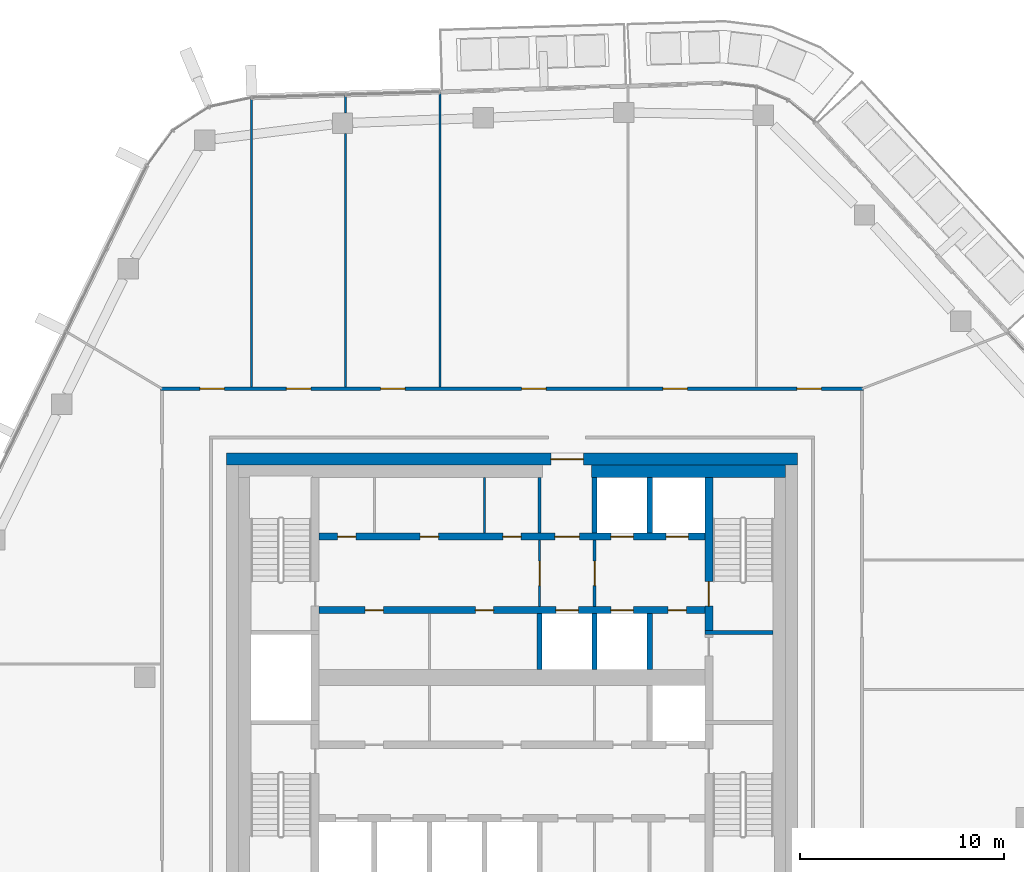
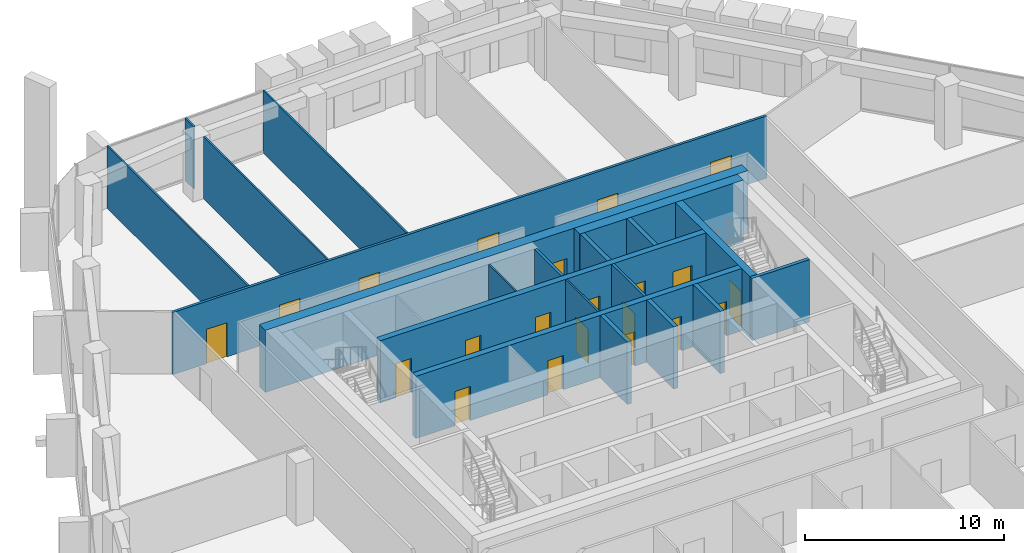
# One storey, part 15 of 24: 21 doors, 20 walls, 21 openings.
"""IFC4 building model written with IfcOpenShell, lengths in metres."""

from ifc_helpers import new_model, si_unit, direction, frame, frame_2d, origin, place, context, subcontext, project, spatial, rectangle, extrude, material, layer, layer_set, type_object, element, fill, save


model = new_model("IFC4")

# Units and contexts
model_context = context("Model", 3, precision=1e-05, world=origin(), true_north=direction((0.0, 1.0)))
body_context = subcontext(model_context, "Body", "Model", "MODEL_VIEW")
ifc_project = project(units=[si_unit("LENGTHUNIT", "METRE"), si_unit("AREAUNIT", "SQUARE_METRE"), si_unit("VOLUMEUNIT", "CUBIC_METRE"), si_unit("PLANEANGLEUNIT", "RADIAN"), si_unit("MASSUNIT", "GRAM", prefix="KILO")], contexts=[model_context])

# Site, building, storey
site_placement = place(None, origin())
site = spatial("IfcSite", under=ifc_project, at=site_placement, CompositionType="ELEMENT")
building_placement = place(site_placement, origin())
building = spatial("IfcBuilding", under=site, at=building_placement, Name="Dongbaek Canopy Tower", CompositionType="ELEMENT")
storey_placement = place(building_placement, frame((0.0, 0.0, 344.60009765625)))
storey = spatial("IfcBuildingStorey", under=building, at=storey_placement, Name="L74", CompositionType="ELEMENT", Elevation=344.60009765625)

# Wall, openings, doors
ifc_material_1 = material(Name="Concrete C60/75", Category="concrete")
ifc_layer_1 = layer(ifc_material_1, 0.35009765625)
ifc_layer_set_1 = layer_set([ifc_layer_1], Name="Core lobby wall 350 Concrete C60/75")
wall_type_1 = type_object("IfcWallType", Name="Core lobby wall 350 Concrete C60/75", PredefinedType="SHEAR", material=ifc_layer_set_1)
wall_1_placement = place(storey_placement, frame((-9.449951171875, 6.89990234375, 0.0), z_axis=(0.0, 0.0, 1.0), x_axis=(1.0, 0.0, 0.0)))
wall_1 = element("IfcWall", 1, at=wall_1_placement, inside=storey, type_object=wall_type_1, Name="Core wall", PredefinedType="SHEAR", context=body_context, shape_type="SweptSolid", body=[
    extrude(rectangle(XDim=18.89990234375, YDim=0.35009765625, at=frame_2d((9.449951171875, 0.0))), origin(), (0.0, 0.0, 1.0), 3.81982421875),
])
opening_1_placement = place(wall_1_placement, frame((11.550048828125, 0.0, 0.0)))
opening_1 = element("IfcOpeningElement", 2, at=opening_1_placement, cuts=wall_1, Name="Opening L74-D021", PredefinedType="OPENING", context=body_context, shape_type="SweptSolid", body=[
    extrude(rectangle(XDim=1.199951171875, YDim=2.10009765625, at=frame_2d((0.60009765625, 1.050048828125))), frame((0.0, 0.18505859375, 0.0), z_axis=(0.0, -1.0, 0.0), x_axis=(1.0, 0.0, 0.0)), (0.0, 0.0, 1.0), 0.3701171875),
])
opening_2_placement = place(wall_1_placement, frame((14.300048828125, 0.0, 0.0)))
opening_2 = element("IfcOpeningElement", 3, at=opening_2_placement, cuts=wall_1, Name="Opening L74-D022", PredefinedType="OPENING", context=body_context, shape_type="SweptSolid", body=[
    extrude(rectangle(XDim=1.10009765625, YDim=2.10009765625, at=frame_2d((0.550048828125, 1.050048828125))), frame((0.0, 0.18505859375, 0.0), z_axis=(0.0, -1.0, 0.0), x_axis=(1.0, 0.0, 0.0)), (0.0, 0.0, 1.0), 0.3701171875),
])
opening_3_placement = place(wall_1_placement, frame((17.0, 0.0, 0.0)))
opening_3 = element("IfcOpeningElement", 4, at=opening_3_placement, cuts=wall_1, Name="Opening L74-D023", PredefinedType="OPENING", context=body_context, shape_type="SweptSolid", body=[
    extrude(rectangle(XDim=1.10009765625, YDim=2.10009765625, at=frame_2d((0.550048828125, 1.050048828125))), frame((0.0, 0.18505859375, 0.0), z_axis=(0.0, -1.0, 0.0), x_axis=(1.0, 0.0, 0.0)), (0.0, 0.0, 1.0), 0.3701171875),
])
opening_4_placement = place(wall_1_placement, frame((0.89990234375, 0.0, 0.0)))
opening_4 = element("IfcOpeningElement", 5, at=opening_4_placement, cuts=wall_1, Name="Opening L74-D034", PredefinedType="OPENING", context=body_context, shape_type="SweptSolid", body=[
    extrude(rectangle(XDim=0.89990234375, YDim=2.10009765625, at=frame_2d((0.449951171875, 1.050048828125))), frame((0.0, 0.18505859375, 0.0), z_axis=(0.0, -1.0, 0.0), x_axis=(1.0, 0.0, 0.0)), (0.0, 0.0, 1.0), 0.3701171875),
])
opening_5_placement = place(wall_1_placement, frame((4.949951171875, 0.0, 0.0)))
opening_5 = element("IfcOpeningElement", 6, at=opening_5_placement, cuts=wall_1, Name="Opening L74-D035", PredefinedType="OPENING", context=body_context, shape_type="SweptSolid", body=[
    extrude(rectangle(XDim=0.89990234375, YDim=2.10009765625, at=frame_2d((0.449951171875, 1.050048828125))), frame((0.0, 0.18505859375, 0.0), z_axis=(0.0, -1.0, 0.0), x_axis=(1.0, 0.0, 0.0)), (0.0, 0.0, 1.0), 0.3701171875),
])
opening_6_placement = place(wall_1_placement, frame((9.0, 0.0, 0.0)))
opening_6 = element("IfcOpeningElement", 7, at=opening_6_placement, cuts=wall_1, Name="Opening L74-D036", PredefinedType="OPENING", context=body_context, shape_type="SweptSolid", body=[
    extrude(rectangle(XDim=0.89990234375, YDim=2.10009765625, at=frame_2d((0.449951171875, 1.050048828125))), frame((0.0, 0.18505859375, 0.0), z_axis=(0.0, -1.0, 0.0), x_axis=(1.0, 0.0, 0.0)), (0.0, 0.0, 1.0), 0.3701171875),
])
ifc_material_2 = material(Name="Steel", Category="steel")
door_type_1 = type_object("IfcDoorType", Name="Core room door 900 x 2100", OperationType="SINGLE_SWING_LEFT", PredefinedType="DOOR", material=ifc_material_2)
door_1_placement = place(opening_4_placement, origin())
door_1 = element("IfcDoor", 8, at=door_1_placement, inside=storey, type_object=door_type_1, Name="Door L74-D034", OperationType="SINGLE_SWING_RIGHT", OverallHeight=2.10009765625, OverallWidth=0.89990234375, PredefinedType="DOOR", context=body_context, shape_type="SweptSolid", body=[
    extrude(rectangle(XDim=0.89990234375, YDim=2.10009765625, at=frame_2d((0.449951171875, 1.050048828125))), frame((0.0, 0.02490234375, 0.0), z_axis=(0.0, -1.0, 0.0), x_axis=(1.0, 0.0, 0.0)), (0.0, 0.0, 1.0), 0.050048828125),
])
fill(opening_4, door_1)
door_2_placement = place(opening_5_placement, origin())
door_2 = element("IfcDoor", 9, at=door_2_placement, inside=storey, type_object=door_type_1, Name="Door L74-D035", OperationType="SINGLE_SWING_LEFT", OverallHeight=2.10009765625, OverallWidth=0.89990234375, PredefinedType="DOOR", context=body_context, shape_type="SweptSolid", body=[
    extrude(rectangle(XDim=0.89990234375, YDim=2.10009765625, at=frame_2d((0.449951171875, 1.050048828125))), frame((0.0, 0.02490234375, 0.0), z_axis=(0.0, -1.0, 0.0), x_axis=(1.0, 0.0, 0.0)), (0.0, 0.0, 1.0), 0.050048828125),
])
fill(opening_5, door_2)
door_3_placement = place(opening_6_placement, origin())
door_3 = element("IfcDoor", 10, at=door_3_placement, inside=storey, type_object=door_type_1, Name="Door L74-D036", OperationType="SINGLE_SWING_RIGHT", OverallHeight=2.10009765625, OverallWidth=0.89990234375, PredefinedType="DOOR", context=body_context, shape_type="SweptSolid", body=[
    extrude(rectangle(XDim=0.89990234375, YDim=2.10009765625, at=frame_2d((0.449951171875, 1.050048828125))), frame((0.0, 0.02490234375, 0.0), z_axis=(0.0, -1.0, 0.0), x_axis=(1.0, 0.0, 0.0)), (0.0, 0.0, 1.0), 0.050048828125),
])
fill(opening_6, door_3)
ifc_material_3 = material(Name="Steel", Category="steel")
door_type_2 = type_object("IfcDoorType", Name="Fire lobby door 1200 x 2100", OperationType="SINGLE_SWING_LEFT", PredefinedType="DOOR", material=ifc_material_3)
door_4_placement = place(opening_1_placement, origin())
door_4 = element("IfcDoor", 11, at=door_4_placement, inside=storey, type_object=door_type_2, Name="Door L74-D021", OperationType="SINGLE_SWING_LEFT", OverallHeight=2.10009765625, OverallWidth=1.199951171875, PredefinedType="DOOR", context=body_context, shape_type="SweptSolid", body=[
    extrude(rectangle(XDim=1.199951171875, YDim=2.10009765625, at=frame_2d((0.60009765625, 1.050048828125))), frame((0.0, 0.02490234375, 0.0), z_axis=(0.0, -1.0, 0.0), x_axis=(1.0, 0.0, 0.0)), (0.0, 0.0, 1.0), 0.050048828125),
])
fill(opening_1, door_4)
ifc_material_4 = material(Name="Stainless steel", Category="steel")
door_type_3 = type_object("IfcDoorType", Name="Lift landing door 1100 x 2100", OperationType="DOUBLE_DOOR_SLIDING", PredefinedType="DOOR", material=ifc_material_4)
door_5_placement = place(opening_2_placement, origin())
door_5 = element("IfcDoor", 12, at=door_5_placement, inside=storey, type_object=door_type_3, Name="Landing door FF1", OperationType="DOUBLE_DOOR_SLIDING", OverallHeight=2.10009765625, OverallWidth=1.10009765625, PredefinedType="DOOR", context=body_context, shape_type="SweptSolid", body=[
    extrude(rectangle(XDim=1.10009765625, YDim=2.10009765625, at=frame_2d((0.550048828125, 1.050048828125))), frame((0.0, 0.02490234375, 0.0), z_axis=(0.0, -1.0, 0.0), x_axis=(1.0, 0.0, 0.0)), (0.0, 0.0, 1.0), 0.050048828125),
])
fill(opening_2, door_5)
door_6_placement = place(opening_3_placement, origin())
door_6 = element("IfcDoor", 13, at=door_6_placement, inside=storey, type_object=door_type_3, Name="Landing door FF2", OperationType="DOUBLE_DOOR_SLIDING", OverallHeight=2.10009765625, OverallWidth=1.10009765625, PredefinedType="DOOR", context=body_context, shape_type="SweptSolid", body=[
    extrude(rectangle(XDim=1.10009765625, YDim=2.10009765625, at=frame_2d((0.550048828125, 1.050048828125))), frame((0.0, 0.02490234375, 0.0), z_axis=(0.0, -1.0, 0.0), x_axis=(1.0, 0.0, 0.0)), (0.0, 0.0, 1.0), 0.050048828125),
])
fill(opening_3, door_6)

wall_2_placement = place(storey_placement, frame((9.449951171875, 3.300048828125, 0.0), z_axis=(0.0, 0.0, 1.0), x_axis=(-1.0, 0.0, 0.0)))
wall_2 = element("IfcWall", 14, at=wall_2_placement, inside=storey, type_object=wall_type_1, Name="Core wall", PredefinedType="SHEAR", context=body_context, shape_type="SweptSolid", body=[
    extrude(rectangle(XDim=18.89990234375, YDim=0.35009765625, at=frame_2d((9.449951171875, 0.0))), origin(), (0.0, 0.0, 1.0), 3.81982421875),
])
opening_7_placement = place(wall_2_placement, frame((6.199951171875, 0.0, 0.0)))
opening_7 = element("IfcOpeningElement", 15, at=opening_7_placement, cuts=wall_2, Name="Opening L74-D024", PredefinedType="OPENING", context=body_context, shape_type="SweptSolid", body=[
    extrude(rectangle(XDim=1.10009765625, YDim=2.10009765625, at=frame_2d((0.550048828125, 1.050048828125))), frame((0.0, 0.18505859375, 0.0), z_axis=(0.0, -1.0, 0.0), x_axis=(1.0, 0.0, 0.0)), (0.0, 0.0, 1.0), 0.3701171875),
])
opening_8_placement = place(wall_2_placement, frame((3.5, 0.0, 0.0)))
opening_8 = element("IfcOpeningElement", 16, at=opening_8_placement, cuts=wall_2, Name="Opening L74-D025", PredefinedType="OPENING", context=body_context, shape_type="SweptSolid", body=[
    extrude(rectangle(XDim=1.10009765625, YDim=2.10009765625, at=frame_2d((0.550048828125, 1.050048828125))), frame((0.0, 0.18505859375, 0.0), z_axis=(0.0, -1.0, 0.0), x_axis=(1.0, 0.0, 0.0)), (0.0, 0.0, 1.0), 0.3701171875),
])
opening_9_placement = place(wall_2_placement, frame((0.89990234375, 0.0, 0.0)))
opening_9 = element("IfcOpeningElement", 17, at=opening_9_placement, cuts=wall_2, Name="Opening L74-D026", PredefinedType="OPENING", context=body_context, shape_type="SweptSolid", body=[
    extrude(rectangle(XDim=0.89990234375, YDim=2.10009765625, at=frame_2d((0.449951171875, 1.050048828125))), frame((0.0, 0.18505859375, 0.0), z_axis=(0.0, -1.0, 0.0), x_axis=(1.0, 0.0, 0.0)), (0.0, 0.0, 1.0), 0.3701171875),
])
opening_10_placement = place(wall_2_placement, frame((15.75, 0.0, 0.0)))
opening_10 = element("IfcOpeningElement", 18, at=opening_10_placement, cuts=wall_2, Name="Opening L74-D037", PredefinedType="OPENING", context=body_context, shape_type="SweptSolid", body=[
    extrude(rectangle(XDim=0.89990234375, YDim=2.10009765625, at=frame_2d((0.449951171875, 1.050048828125))), frame((0.0, 0.18505859375, 0.0), z_axis=(0.0, -1.0, 0.0), x_axis=(1.0, 0.0, 0.0)), (0.0, 0.0, 1.0), 0.3701171875),
])
opening_11_placement = place(wall_2_placement, frame((10.35009765625, 0.0, 0.0)))
opening_11 = element("IfcOpeningElement", 19, at=opening_11_placement, cuts=wall_2, Name="Opening L74-D038", PredefinedType="OPENING", context=body_context, shape_type="SweptSolid", body=[
    extrude(rectangle(XDim=0.89990234375, YDim=2.10009765625, at=frame_2d((0.449951171875, 1.050048828125))), frame((0.0, 0.18505859375, 0.0), z_axis=(0.0, -1.0, 0.0), x_axis=(1.0, 0.0, 0.0)), (0.0, 0.0, 1.0), 0.3701171875),
])
door_7_placement = place(opening_9_placement, origin())
door_7 = element("IfcDoor", 20, at=door_7_placement, inside=storey, type_object=door_type_1, Name="Door L74-D026", OperationType="SINGLE_SWING_LEFT", OverallHeight=2.10009765625, OverallWidth=0.89990234375, PredefinedType="DOOR", context=body_context, shape_type="SweptSolid", body=[
    extrude(rectangle(XDim=0.89990234375, YDim=2.10009765625, at=frame_2d((0.449951171875, 1.050048828125))), frame((0.0, 0.02490234375, 0.0), z_axis=(0.0, -1.0, 0.0), x_axis=(1.0, 0.0, 0.0)), (0.0, 0.0, 1.0), 0.050048828125),
])
fill(opening_9, door_7)
door_8_placement = place(opening_10_placement, origin())
door_8 = element("IfcDoor", 21, at=door_8_placement, inside=storey, type_object=door_type_1, Name="Door L74-D037", OperationType="SINGLE_SWING_LEFT", OverallHeight=2.10009765625, OverallWidth=0.89990234375, PredefinedType="DOOR", context=body_context, shape_type="SweptSolid", body=[
    extrude(rectangle(XDim=0.89990234375, YDim=2.10009765625, at=frame_2d((0.449951171875, 1.050048828125))), frame((0.0, 0.02490234375, 0.0), z_axis=(0.0, -1.0, 0.0), x_axis=(1.0, 0.0, 0.0)), (0.0, 0.0, 1.0), 0.050048828125),
])
fill(opening_10, door_8)
door_9_placement = place(opening_11_placement, origin())
door_9 = element("IfcDoor", 22, at=door_9_placement, inside=storey, type_object=door_type_1, Name="Door L74-D038", OperationType="SINGLE_SWING_RIGHT", OverallHeight=2.10009765625, OverallWidth=0.89990234375, PredefinedType="DOOR", context=body_context, shape_type="SweptSolid", body=[
    extrude(rectangle(XDim=0.89990234375, YDim=2.10009765625, at=frame_2d((0.449951171875, 1.050048828125))), frame((0.0, 0.02490234375, 0.0), z_axis=(0.0, -1.0, 0.0), x_axis=(1.0, 0.0, 0.0)), (0.0, 0.0, 1.0), 0.050048828125),
])
fill(opening_11, door_9)
door_10_placement = place(opening_7_placement, origin())
door_10 = element("IfcDoor", 23, at=door_10_placement, inside=storey, type_object=door_type_3, Name="Landing door SV1", OperationType="DOUBLE_DOOR_SLIDING", OverallHeight=2.10009765625, OverallWidth=1.10009765625, PredefinedType="DOOR", context=body_context, shape_type="SweptSolid", body=[
    extrude(rectangle(XDim=1.10009765625, YDim=2.10009765625, at=frame_2d((0.550048828125, 1.050048828125))), frame((0.0, 0.02490234375, 0.0), z_axis=(0.0, -1.0, 0.0), x_axis=(1.0, 0.0, 0.0)), (0.0, 0.0, 1.0), 0.050048828125),
])
fill(opening_7, door_10)
door_11_placement = place(opening_8_placement, origin())
door_11 = element("IfcDoor", 24, at=door_11_placement, inside=storey, type_object=door_type_3, Name="Landing door FF3", OperationType="DOUBLE_DOOR_SLIDING", OverallHeight=2.10009765625, OverallWidth=1.10009765625, PredefinedType="DOOR", context=body_context, shape_type="SweptSolid", body=[
    extrude(rectangle(XDim=1.10009765625, YDim=2.10009765625, at=frame_2d((0.550048828125, 1.050048828125))), frame((0.0, 0.02490234375, 0.0), z_axis=(0.0, -1.0, 0.0), x_axis=(1.0, 0.0, 0.0)), (0.0, 0.0, 1.0), 0.050048828125),
])
fill(opening_8, door_11)

# Wall, opening, door
ifc_material_5 = material(Name="Concrete C80/95", Category="concrete")
ifc_layer_2 = layer(ifc_material_5, 0.60009765625)
ifc_layer_set_2 = layer_set([ifc_layer_2], Name="Core outer wall 600 Concrete C80/95")
wall_type_2 = type_object("IfcWallType", Name="Core outer wall 600 Concrete C80/95", PredefinedType="SHEAR", material=ifc_layer_set_2)
wall_3_placement = place(storey_placement, frame((-14.0, 10.699951171875, 0.0), z_axis=(0.0, 0.0, 1.0), x_axis=(1.0, 0.0, 0.0)))
wall_3 = element("IfcWall", 25, at=wall_3_placement, inside=storey, type_object=wall_type_2, Name="Core wall", PredefinedType="SHEAR", context=body_context, shape_type="SweptSolid", body=[
    extrude(rectangle(XDim=28.0, YDim=0.60009765625, at=frame_2d((14.0, 0.0))), origin(), (0.0, 0.0, 1.0), 3.81982421875),
])
opening_12_placement = place(wall_3_placement, frame((15.89990234375, 0.0, 0.0)))
opening_12 = element("IfcOpeningElement", 26, at=opening_12_placement, cuts=wall_3, Name="Opening L74-D020", PredefinedType="OPENING", context=body_context, shape_type="SweptSolid", body=[
    extrude(rectangle(XDim=1.60009765625, YDim=2.10009765625, at=frame_2d((0.800048828125, 1.050048828125))), frame((0.0, 0.31005859375, 0.0), z_axis=(0.0, -1.0, 0.0), x_axis=(1.0, 0.0, 0.0)), (0.0, 0.0, 1.0), 0.6201171875),
])
ifc_material_6 = material(Name="Steel", Category="steel")
door_type_4 = type_object("IfcDoorType", Name="Core exit door 1600 x 2100", OperationType="DOUBLE_DOOR_SINGLE_SWING", PredefinedType="DOOR", material=ifc_material_6)
door_12_placement = place(opening_12_placement, origin())
door_12 = element("IfcDoor", 27, at=door_12_placement, inside=storey, type_object=door_type_4, Name="Core exit door", OperationType="DOUBLE_DOOR_SINGLE_SWING", OverallHeight=2.10009765625, OverallWidth=1.60009765625, PredefinedType="DOOR", context=body_context, shape_type="SweptSolid", body=[
    extrude(rectangle(XDim=1.60009765625, YDim=2.10009765625, at=frame_2d((0.800048828125, 1.050048828125))), frame((0.0, 0.02490234375, 0.0), z_axis=(0.0, -1.0, 0.0), x_axis=(1.0, 0.0, 0.0)), (0.0, 0.0, 1.0), 0.050048828125),
])
fill(opening_12, door_12)

# Wall
ifc_material_7 = material(Name="Concrete C60/75", Category="concrete")
ifc_layer_3 = layer(ifc_material_7, 0.60009765625)
ifc_layer_set_3 = layer_set([ifc_layer_3], Name="Core wall lining 600 Concrete C60/75")
wall_type_3 = type_object("IfcWallType", Name="Core wall lining 600 Concrete C60/75", PredefinedType="SHEAR", material=ifc_layer_set_3)
wall_4_placement = place(storey_placement, frame((3.89990234375, 10.10009765625, 0.0), z_axis=(0.0, 0.0, 1.0), x_axis=(1.0, 0.0, 0.0)))
element("IfcWall", 28, at=wall_4_placement, inside=storey, type_object=wall_type_3, Name="Core wall lining", PredefinedType="SHEAR", context=body_context, shape_type="SweptSolid", body=[
    extrude(rectangle(XDim=9.5, YDim=0.60009765625, at=frame_2d((4.75, 0.0))), origin(), (0.0, 0.0, 1.0), 3.81982421875),
])

# Wall, openings, doors
ifc_material_8 = material(Name="Gypsum board partition, steel stud, 2 x 15 mm fire board", Category="steel")
ifc_layer_4 = layer(ifc_material_8, 0.14990234375)
ifc_layer_set_4 = layer_set([ifc_layer_4], Name="Fire-rated partition 150 gypsum board")
wall_type_4 = type_object("IfcWallType", Name="Fire-rated partition 150 gypsum board", PredefinedType="PARTITIONING", material=ifc_layer_set_4)
wall_5_placement = place(storey_placement, frame((-17.22509765625, 14.14990234375, 0.0), z_axis=(0.0, 0.0, 1.0), x_axis=(1.0, 0.0, 0.0)))
wall_5 = element("IfcWall", 29, at=wall_5_placement, inside=storey, type_object=wall_type_4, Name="Corridor partition", PredefinedType="PARTITIONING", context=body_context, shape_type="SweptSolid", body=[
    extrude(rectangle(XDim=34.4501953125, YDim=0.14990234375, at=frame_2d((17.22509765625, 0.0))), origin(), (0.0, 0.0, 1.0), 3.81982421875),
])
opening_13_placement = place(wall_5_placement, frame((31.189697265625, 0.0, 0.0)))
opening_13 = element("IfcOpeningElement", 30, at=opening_13_placement, cuts=wall_5, Name="Opening L74-D012", PredefinedType="OPENING", context=body_context, shape_type="SweptSolid", body=[
    extrude(rectangle(XDim=1.199951171875, YDim=2.10009765625, at=frame_2d((0.60009765625, 1.050048828125))), frame((0.0, 0.0849609375, 0.0), z_axis=(0.0, -1.0, 0.0), x_axis=(1.0, 0.0, 0.0)), (0.0, 0.0, 1.0), 0.169921875),
])
opening_14_placement = place(wall_5_placement, frame((24.62060546875, 0.0, 0.0)))
opening_14 = element("IfcOpeningElement", 31, at=opening_14_placement, cuts=wall_5, Name="Opening L74-D013", PredefinedType="OPENING", context=body_context, shape_type="SweptSolid", body=[
    extrude(rectangle(XDim=1.199951171875, YDim=2.10009765625, at=frame_2d((0.60009765625, 1.050048828125))), frame((0.0, 0.0849609375, 0.0), z_axis=(0.0, -1.0, 0.0), x_axis=(1.0, 0.0, 0.0)), (0.0, 0.0, 1.0), 0.169921875),
])
opening_15_placement = place(wall_5_placement, frame((17.70263671875, 0.0, 0.0)))
opening_15 = element("IfcOpeningElement", 32, at=opening_15_placement, cuts=wall_5, Name="Opening L74-D014", PredefinedType="OPENING", context=body_context, shape_type="SweptSolid", body=[
    extrude(rectangle(XDim=1.199951171875, YDim=2.10009765625, at=frame_2d((0.60009765625, 1.050048828125))), frame((0.0, 0.0849609375, 0.0), z_axis=(0.0, -1.0, 0.0), x_axis=(1.0, 0.0, 0.0)), (0.0, 0.0, 1.0), 0.169921875),
])
opening_16_placement = place(wall_5_placement, frame((10.781005859375, 0.0, 0.0)))
opening_16 = element("IfcOpeningElement", 33, at=opening_16_placement, cuts=wall_5, Name="Opening L74-D015", PredefinedType="OPENING", context=body_context, shape_type="SweptSolid", body=[
    extrude(rectangle(XDim=1.199951171875, YDim=2.10009765625, at=frame_2d((0.60009765625, 1.050048828125))), frame((0.0, 0.0849609375, 0.0), z_axis=(0.0, -1.0, 0.0), x_axis=(1.0, 0.0, 0.0)), (0.0, 0.0, 1.0), 0.169921875),
])
opening_17_placement = place(wall_5_placement, frame((6.1708984375, 0.0, 0.0)))
opening_17 = element("IfcOpeningElement", 34, at=opening_17_placement, cuts=wall_5, Name="Opening L74-D016", PredefinedType="OPENING", context=body_context, shape_type="SweptSolid", body=[
    extrude(rectangle(XDim=1.199951171875, YDim=2.10009765625, at=frame_2d((0.60009765625, 1.050048828125))), frame((0.0, 0.0849609375, 0.0), z_axis=(0.0, -1.0, 0.0), x_axis=(1.0, 0.0, 0.0)), (0.0, 0.0, 1.0), 0.169921875),
])
opening_18_placement = place(wall_5_placement, frame((1.931640625, 0.0, 0.0)))
opening_18 = element("IfcOpeningElement", 35, at=opening_18_placement, cuts=wall_5, Name="Opening L74-D017", PredefinedType="OPENING", context=body_context, shape_type="SweptSolid", body=[
    extrude(rectangle(XDim=1.199951171875, YDim=2.10009765625, at=frame_2d((0.60009765625, 1.050048828125))), frame((0.0, 0.0849609375, 0.0), z_axis=(0.0, -1.0, 0.0), x_axis=(1.0, 0.0, 0.0)), (0.0, 0.0, 1.0), 0.169921875),
])
ifc_material_9 = material(Name="Timber veneered door leaf", Category="wood")
door_type_5 = type_object("IfcDoorType", Name="Room door 1200 x 2100", OperationType="SINGLE_SWING_LEFT", PredefinedType="DOOR", material=ifc_material_9)
door_13_placement = place(opening_13_placement, origin())
door_13 = element("IfcDoor", 36, at=door_13_placement, inside=storey, type_object=door_type_5, Name="Door L74-D012", OperationType="SINGLE_SWING_LEFT", OverallHeight=2.10009765625, OverallWidth=1.199951171875, PredefinedType="DOOR", context=body_context, shape_type="SweptSolid", body=[
    extrude(rectangle(XDim=1.199951171875, YDim=2.10009765625, at=frame_2d((0.60009765625, 1.050048828125))), frame((0.0, 0.02490234375, 0.0), z_axis=(0.0, -1.0, 0.0), x_axis=(1.0, 0.0, 0.0)), (0.0, 0.0, 1.0), 0.050048828125),
])
fill(opening_13, door_13)
door_14_placement = place(opening_14_placement, origin())
door_14 = element("IfcDoor", 37, at=door_14_placement, inside=storey, type_object=door_type_5, Name="Door L74-D013", OperationType="SINGLE_SWING_RIGHT", OverallHeight=2.10009765625, OverallWidth=1.199951171875, PredefinedType="DOOR", context=body_context, shape_type="SweptSolid", body=[
    extrude(rectangle(XDim=1.199951171875, YDim=2.10009765625, at=frame_2d((0.60009765625, 1.050048828125))), frame((0.0, 0.02490234375, 0.0), z_axis=(0.0, -1.0, 0.0), x_axis=(1.0, 0.0, 0.0)), (0.0, 0.0, 1.0), 0.050048828125),
])
fill(opening_14, door_14)
door_15_placement = place(opening_15_placement, origin())
door_15 = element("IfcDoor", 38, at=door_15_placement, inside=storey, type_object=door_type_5, Name="Door L74-D014", OperationType="SINGLE_SWING_LEFT", OverallHeight=2.10009765625, OverallWidth=1.199951171875, PredefinedType="DOOR", context=body_context, shape_type="SweptSolid", body=[
    extrude(rectangle(XDim=1.199951171875, YDim=2.10009765625, at=frame_2d((0.60009765625, 1.050048828125))), frame((0.0, 0.02490234375, 0.0), z_axis=(0.0, -1.0, 0.0), x_axis=(1.0, 0.0, 0.0)), (0.0, 0.0, 1.0), 0.050048828125),
])
fill(opening_15, door_15)
door_16_placement = place(opening_16_placement, origin())
door_16 = element("IfcDoor", 39, at=door_16_placement, inside=storey, type_object=door_type_5, Name="Door L74-D015", OperationType="SINGLE_SWING_RIGHT", OverallHeight=2.10009765625, OverallWidth=1.199951171875, PredefinedType="DOOR", context=body_context, shape_type="SweptSolid", body=[
    extrude(rectangle(XDim=1.199951171875, YDim=2.10009765625, at=frame_2d((0.60009765625, 1.050048828125))), frame((0.0, 0.02490234375, 0.0), z_axis=(0.0, -1.0, 0.0), x_axis=(1.0, 0.0, 0.0)), (0.0, 0.0, 1.0), 0.050048828125),
])
fill(opening_16, door_16)
door_17_placement = place(opening_17_placement, origin())
door_17 = element("IfcDoor", 40, at=door_17_placement, inside=storey, type_object=door_type_5, Name="Door L74-D016", OperationType="SINGLE_SWING_LEFT", OverallHeight=2.10009765625, OverallWidth=1.199951171875, PredefinedType="DOOR", context=body_context, shape_type="SweptSolid", body=[
    extrude(rectangle(XDim=1.199951171875, YDim=2.10009765625, at=frame_2d((0.60009765625, 1.050048828125))), frame((0.0, 0.02490234375, 0.0), z_axis=(0.0, -1.0, 0.0), x_axis=(1.0, 0.0, 0.0)), (0.0, 0.0, 1.0), 0.050048828125),
])
fill(opening_17, door_17)
door_18_placement = place(opening_18_placement, origin())
door_18 = element("IfcDoor", 41, at=door_18_placement, inside=storey, type_object=door_type_5, Name="Door L74-D017", OperationType="SINGLE_SWING_RIGHT", OverallHeight=2.10009765625, OverallWidth=1.199951171875, PredefinedType="DOOR", context=body_context, shape_type="SweptSolid", body=[
    extrude(rectangle(XDim=1.199951171875, YDim=2.10009765625, at=frame_2d((0.60009765625, 1.050048828125))), frame((0.0, 0.02490234375, 0.0), z_axis=(0.0, -1.0, 0.0), x_axis=(1.0, 0.0, 0.0)), (0.0, 0.0, 1.0), 0.050048828125),
])
fill(opening_18, door_18)

# Wall, opening, door
wall_6_placement = place(storey_placement, frame((4.050048828125, 6.72509765625, 0.0), z_axis=(0.0, 0.0, 1.0), x_axis=(0.0, -1.0, 0.0)))
wall_6 = element("IfcWall", 42, at=wall_6_placement, inside=storey, type_object=wall_type_4, Name="Fire lobby partition", PredefinedType="PARTITIONING", context=body_context, shape_type="SweptSolid", body=[
    extrude(rectangle(XDim=3.25, YDim=0.14990234375, at=frame_2d((1.625, 0.0))), origin(), (0.0, 0.0, 1.0), 3.81982421875),
])
opening_19_placement = place(wall_6_placement, frame((1.02490234375, 0.0, 0.0)))
opening_19 = element("IfcOpeningElement", 43, at=opening_19_placement, cuts=wall_6, Name="Opening L74-D049", PredefinedType="OPENING", context=body_context, shape_type="SweptSolid", body=[
    extrude(rectangle(XDim=1.199951171875, YDim=2.10009765625, at=frame_2d((0.60009765625, 1.050048828125))), frame((0.0, 0.0849609375, 0.0), z_axis=(0.0, -1.0, 0.0), x_axis=(1.0, 0.0, 0.0)), (0.0, 0.0, 1.0), 0.169921875),
])
door_19_placement = place(opening_19_placement, origin())
door_19 = element("IfcDoor", 44, at=door_19_placement, inside=storey, type_object=door_type_2, Name="Door L74-D049", OperationType="SINGLE_SWING_RIGHT", OverallHeight=2.10009765625, OverallWidth=1.199951171875, PredefinedType="DOOR", context=body_context, shape_type="SweptSolid", body=[
    extrude(rectangle(XDim=1.199951171875, YDim=2.10009765625, at=frame_2d((0.60009765625, 1.050048828125))), frame((0.0, 0.02490234375, 0.0), z_axis=(0.0, -1.0, 0.0), x_axis=(1.0, 0.0, 0.0)), (0.0, 0.0, 1.0), 0.050048828125),
])
fill(opening_19, door_19)

# Walls
wall_7_placement = place(storey_placement, frame((1.35009765625, 7.074951171875, 0.0), z_axis=(0.0, 0.0, 1.0), x_axis=(0.0, 1.0, 0.0)))
element("IfcWall", 45, at=wall_7_placement, inside=storey, type_object=wall_type_4, Name="Fire lobby partition", PredefinedType="PARTITIONING", context=body_context, shape_type="SweptSolid", body=[
    extrude(rectangle(XDim=2.72509765625, YDim=0.14990234375, at=frame_2d((1.362548828125, 0.0))), origin(), (0.0, 0.0, 1.0), 3.81982421875),
])
ifc_material_10 = material(Name="Concrete C40/50", Category="concrete")
ifc_layer_5 = layer(ifc_material_10, 0.25)
ifc_layer_set_5 = layer_set([ifc_layer_5], Name="Lift shaft wall 250 Concrete C40/50")
wall_type_5 = type_object("IfcWallType", Name="Lift shaft wall 250 Concrete C40/50", PredefinedType="SOLIDWALL", material=ifc_layer_set_5)
for number, where, z_axis, x_axis, name in (
    (46, (6.75, 0.39990234375, 0.0), (0.0, 0.0, 1.0), (0.0, 1.0, 0.0), "Lift shaft wall"),
    (47, (6.75, 7.074951171875, 0.0), (0.0, 0.0, 1.0), (0.0, 1.0, 0.0), "Lift shaft wall"),
    (48, (4.050048828125, 0.39990234375, 0.0), (0.0, 0.0, 1.0), (0.0, 1.0, 0.0), "Lift shaft wall"),
    (49, (4.050048828125, 7.074951171875, 0.0), (0.0, 0.0, 1.0), (0.0, 1.0, 0.0), "Lift shaft wall"),
    (50, (1.35009765625, 0.39990234375, 0.0), (0.0, 0.0, 1.0), (0.0, 1.0, 0.0), "Lift shaft wall"),
):
    element("IfcWall", number, at=place(storey_placement, frame(where, z_axis=z_axis, x_axis=x_axis)), inside=storey, type_object=wall_type_5, Name=name, PredefinedType="SOLIDWALL", context=body_context, shape_type="SweptSolid", body=[
        extrude(rectangle(XDim=2.72509765625, YDim=0.25, at=frame_2d((1.362548828125, 0.0))), origin(), (0.0, 0.0, 1.0), 3.81982421875),
    ])
ifc_material_11 = material(Name="Gypsum board partition, steel stud, 2 x 12.5 mm board", Category="steel")
ifc_layer_6 = layer(ifc_material_11, 0.10009765625)
ifc_layer_set_6 = layer_set([ifc_layer_6], Name="Partition 100 gypsum board")
wall_type_6 = type_object("IfcWallType", Name="Partition 100 gypsum board", PredefinedType="PARTITIONING", material=ifc_layer_set_6)
wall_8_placement = place(storey_placement, frame((-3.537109375, 14.22509765625, 0.0), z_axis=(0.0, 0.0, 1.0), x_axis=(0.0, 1.0, 0.0)))
element("IfcWall", 51, at=wall_8_placement, inside=storey, type_object=wall_type_6, Name="Partition", PredefinedType="PARTITIONING", context=body_context, shape_type="SweptSolid", body=[
    extrude(rectangle(XDim=14.451416015625, YDim=0.10009765625, at=frame_2d((7.2255859375, 0.0))), origin(), (0.0, 0.0, 1.0), 3.81982421875),
])
wall_9_placement = place(storey_placement, frame((-8.15087890625, 14.22509765625, 0.0), z_axis=(0.0, 0.0, 1.0), x_axis=(0.0, 1.0, 0.0)))
element("IfcWall", 52, at=wall_9_placement, inside=storey, type_object=wall_type_6, Name="Partition", PredefinedType="PARTITIONING", context=body_context, shape_type="SweptSolid", body=[
    extrude(rectangle(XDim=12.43896484375, YDim=0.10009765625, at=frame_2d((6.219482421875, 0.0))), origin(), (0.0, 0.0, 1.0), 3.81982421875),
])
wall_10_placement = place(storey_placement, frame((-8.15087890625, 27.6640625, 0.0), z_axis=(0.0, 0.0, 1.0), x_axis=(0.0, 1.0, 0.0)))
element("IfcWall", 53, at=wall_10_placement, inside=storey, type_object=wall_type_6, Name="Partition", PredefinedType="PARTITIONING", context=body_context, shape_type="SweptSolid", body=[
    extrude(rectangle(XDim=0.869384765625, YDim=0.10009765625, at=frame_2d((0.4345703125, 0.0))), origin(), (0.0, 0.0, 1.0), 3.81982421875),
])
wall_11_placement = place(storey_placement, frame((-12.757080078125, 14.22509765625, 0.0), z_axis=(0.0, 0.0, 1.0), x_axis=(0.0, 1.0, 0.0)))
element("IfcWall", 54, at=wall_11_placement, inside=storey, type_object=wall_type_6, Name="Partition", PredefinedType="PARTITIONING", context=body_context, shape_type="SweptSolid", body=[
    extrude(rectangle(XDim=14.1650390625, YDim=0.10009765625, at=frame_2d((7.08251953125, 0.0))), origin(), (0.0, 0.0, 1.0), 3.81982421875),
])

# Wall, opening, door
wall_12_placement = place(storey_placement, frame((1.35009765625, 6.72509765625, 0.0), z_axis=(0.0, 0.0, 1.0), x_axis=(0.0, -1.0, 0.0)))
wall_12 = element("IfcWall", 55, at=wall_12_placement, inside=storey, type_object=wall_type_6, Name="Core partition", PredefinedType="PARTITIONING", context=body_context, shape_type="SweptSolid", body=[
    extrude(rectangle(XDim=3.25, YDim=0.10009765625, at=frame_2d((1.625, 0.0))), origin(), (0.0, 0.0, 1.0), 3.81982421875),
])
opening_20_placement = place(wall_12_placement, frame((1.02490234375, 0.0, 0.0)))
opening_20 = element("IfcOpeningElement", 56, at=opening_20_placement, cuts=wall_12, Name="Opening L74-D048", PredefinedType="OPENING", context=body_context, shape_type="SweptSolid", body=[
    extrude(rectangle(XDim=1.199951171875, YDim=2.10009765625, at=frame_2d((0.60009765625, 1.050048828125))), frame((0.0, 0.06005859375, 0.0), z_axis=(0.0, -1.0, 0.0), x_axis=(1.0, 0.0, 0.0)), (0.0, 0.0, 1.0), 0.1201171875),
])
door_20_placement = place(opening_20_placement, origin())
door_20 = element("IfcDoor", 57, at=door_20_placement, inside=storey, type_object=door_type_2, Name="Door L74-D048", OperationType="SINGLE_SWING_LEFT", OverallHeight=2.10009765625, OverallWidth=1.199951171875, PredefinedType="DOOR", context=body_context, shape_type="SweptSolid", body=[
    extrude(rectangle(XDim=1.199951171875, YDim=2.10009765625, at=frame_2d((0.60009765625, 1.050048828125))), frame((0.0, 0.02490234375, 0.0), z_axis=(0.0, -1.0, 0.0), x_axis=(1.0, 0.0, 0.0)), (0.0, 0.0, 1.0), 0.050048828125),
])
fill(opening_20, door_20)

# Walls
wall_13_placement = place(storey_placement, frame((-1.35009765625, 7.074951171875, 0.0), z_axis=(0.0, 0.0, 1.0), x_axis=(0.0, 1.0, 0.0)))
element("IfcWall", 58, at=wall_13_placement, inside=storey, type_object=wall_type_6, Name="Core partition", PredefinedType="PARTITIONING", context=body_context, shape_type="SweptSolid", body=[
    extrude(rectangle(XDim=2.72509765625, YDim=0.10009765625, at=frame_2d((1.362548828125, 0.0))), origin(), (0.0, 0.0, 1.0), 3.81982421875),
])
ifc_material_12 = material(Name="Concrete C60/75", Category="concrete")
ifc_layer_7 = layer(ifc_material_12, 0.199951171875)
ifc_layer_set_7 = layer_set([ifc_layer_7], Name="Riser wall 200 Concrete C60/75")
wall_type_7 = type_object("IfcWallType", Name="Riser wall 200 Concrete C60/75", PredefinedType="SHEAR", material=ifc_layer_set_7)
wall_14_placement = place(storey_placement, frame((9.449951171875, 2.199951171875, 0.0), z_axis=(0.0, 0.0, 1.0), x_axis=(1.0, 0.0, 0.0)))
element("IfcWall", 59, at=wall_14_placement, inside=storey, type_object=wall_type_7, Name="Riser wall", PredefinedType="SHEAR", context=body_context, shape_type="SweptSolid", body=[
    extrude(rectangle(XDim=3.35009765625, YDim=0.199951171875, at=frame_2d((1.675048828125, 0.0))), origin(), (0.0, 0.0, 1.0), 3.81982421875),
])

# Wall, opening, door
ifc_material_13 = material(Name="Concrete C60/75", Category="concrete")
ifc_layer_8 = layer(ifc_material_13, 0.39990234375)
ifc_layer_set_8 = layer_set([ifc_layer_8], Name="Stair wall 400 Concrete C60/75")
wall_type_8 = type_object("IfcWallType", Name="Stair wall 400 Concrete C60/75", PredefinedType="SHEAR", material=ifc_layer_set_8)
wall_15_placement = place(storey_placement, frame((9.64990234375, 9.800048828125, 0.0), z_axis=(0.0, 0.0, 1.0), x_axis=(0.0, -1.0, 0.0)))
wall_15 = element("IfcWall", 60, at=wall_15_placement, inside=storey, type_object=wall_type_8, Name="Stair wall", PredefinedType="SHEAR", context=body_context, shape_type="SweptSolid", body=[
    extrude(rectangle(XDim=7.5, YDim=0.39990234375, at=frame_2d((3.75, 0.0))), origin(), (0.0, 0.0, 1.0), 3.81982421875),
])
opening_21_placement = place(wall_15_placement, frame((5.10009765625, 0.0, 0.0)))
opening_21 = element("IfcOpeningElement", 61, at=opening_21_placement, cuts=wall_15, Name="Opening L74-D044", PredefinedType="OPENING", context=body_context, shape_type="SweptSolid", body=[
    extrude(rectangle(XDim=1.199951171875, YDim=2.10009765625, at=frame_2d((0.60009765625, 1.050048828125))), frame((0.0, 0.2099609375, 0.0), z_axis=(0.0, -1.0, 0.0), x_axis=(1.0, 0.0, 0.0)), (0.0, 0.0, 1.0), 0.419921875),
])
ifc_material_14 = material(Name="Steel", Category="steel")
door_type_6 = type_object("IfcDoorType", Name="Stair door 1200 x 2100", OperationType="SINGLE_SWING_LEFT", PredefinedType="DOOR", material=ifc_material_14)
door_21_placement = place(opening_21_placement, origin())
door_21 = element("IfcDoor", 62, at=door_21_placement, inside=storey, type_object=door_type_6, Name="Stair A door", OperationType="SINGLE_SWING_LEFT", OverallHeight=2.10009765625, OverallWidth=1.199951171875, PredefinedType="DOOR", context=body_context, shape_type="SweptSolid", body=[
    extrude(rectangle(XDim=1.199951171875, YDim=2.10009765625, at=frame_2d((0.60009765625, 1.050048828125))), frame((0.0, 0.02490234375, 0.0), z_axis=(0.0, -1.0, 0.0), x_axis=(1.0, 0.0, 0.0)), (0.0, 0.0, 1.0), 0.050048828125),
])
fill(opening_21, door_21)

save(model, "model.ifc")
